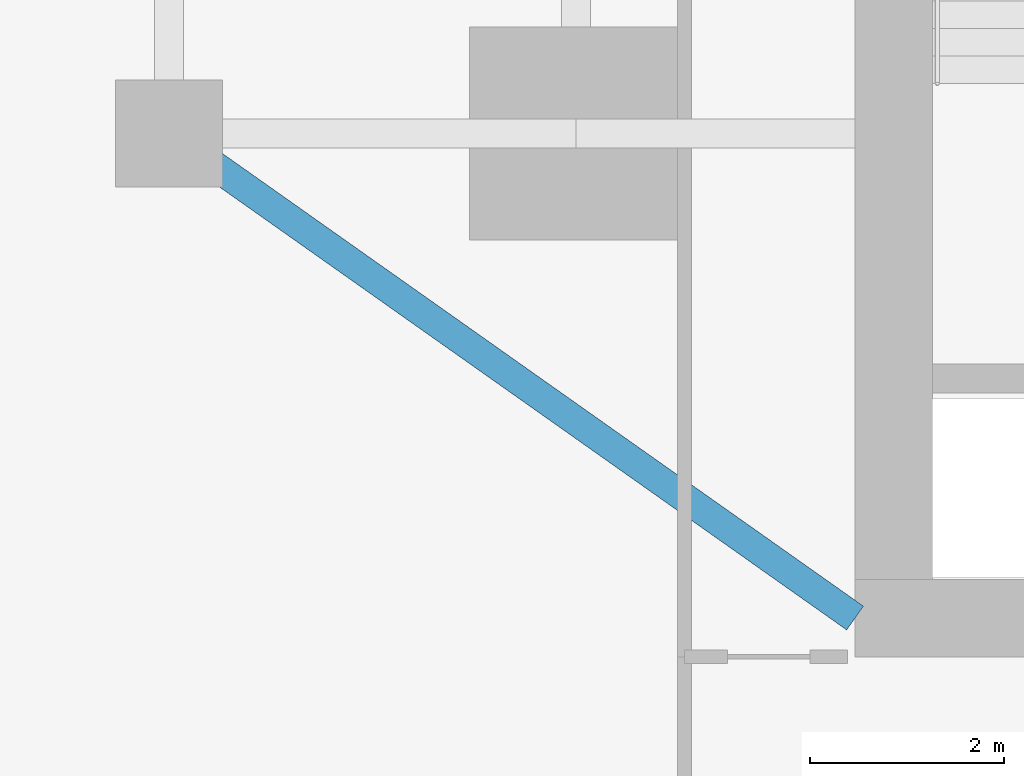
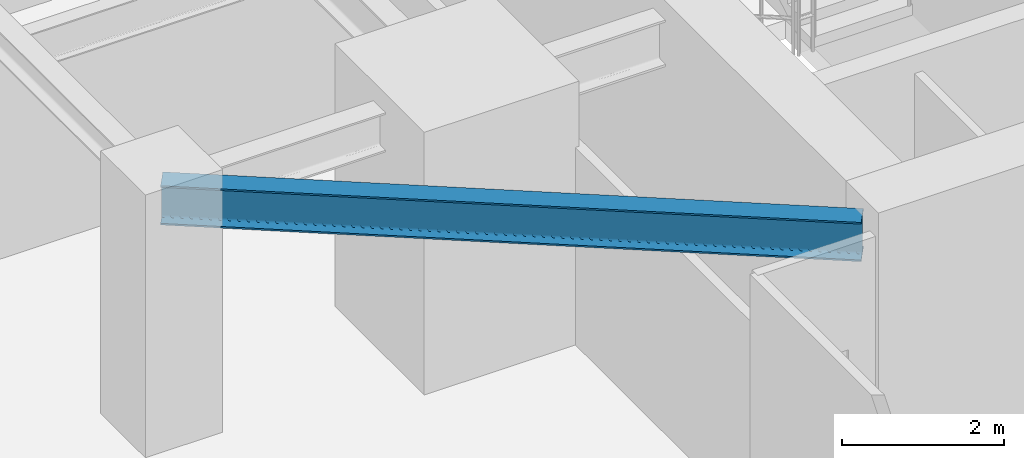
# One storey, part 5 of 29: 1 beam.
"""IFC4 building model written with IfcOpenShell, lengths in metres."""

from ifc_helpers import new_model, si_unit, direction, frame, origin, origin_2d, place, context, subcontext, project, spatial, i_section, extrude, source, transform, mapped, material, material_profile, profile_set, type_object, type_shapes, element, save


model = new_model("IFC4")

# Units and contexts
model_context = context("Model", 3, precision=1e-05, world=origin(), true_north=direction((0.0, 1.0)))
body_context = subcontext(model_context, "Body", "Model", "MODEL_VIEW")
ifc_project = project(units=[si_unit("LENGTHUNIT", "METRE"), si_unit("AREAUNIT", "SQUARE_METRE"), si_unit("VOLUMEUNIT", "CUBIC_METRE"), si_unit("PLANEANGLEUNIT", "RADIAN"), si_unit("MASSUNIT", "GRAM", prefix="KILO")], contexts=[model_context])

# Site, building, storey
site_placement = place(None, origin())
site = spatial("IfcSite", under=ifc_project, at=site_placement, CompositionType="ELEMENT")
building_placement = place(site_placement, origin())
building = spatial("IfcBuilding", under=site, at=building_placement, Name="Krantzveldt Concourse Tower", CompositionType="ELEMENT")
storey_placement = place(building_placement, frame((0.0, 0.0, 68.449951171875)))
storey = spatial("IfcBuildingStorey", under=building, at=storey_placement, Name="L16", CompositionType="ELEMENT", Elevation=68.449951171875)

# Beam
ifc_material = material(Name="Steel S355JR", Category="steel")
ifc_material_profile = material_profile(ifc_material, i_section(OverallWidth=0.300048828125, OverallDepth=0.590087890625, WebThickness=0.012939453125, FlangeThickness=0.02490234375, FilletRadius=0.027099609375, at=origin_2d()), Name="Steel S355JR", Category="steel")
ifc_profile_set = profile_set([ifc_material_profile], Name="Steel S355JR - HEA 600")
beam_type = type_object("IfcBeamType", Name="BM-B-HEA600", PredefinedType="BEAM", material=ifc_profile_set)
shared_shape = source(origin(), body_context, "Body", "SweptSolid", [
    extrude(i_section(OverallWidth=0.300048828125, OverallDepth=0.590087890625, WebThickness=0.012939453125, FlangeThickness=0.02490234375, FilletRadius=0.027099609375, at=origin_2d()), origin(), (0.0, 0.0, 1.0), 8.667724609375),
])
type_shapes(beam_type, [shared_shape])
beam_placement = place(storey_placement, frame((21.0, 15.89990234375, 3.375), z_axis=(0.81684294656, -0.576860122261, 0.0), x_axis=(0.576860122261, 0.81684294656, 0.0)))
element("IfcBeam", 1, at=beam_placement, inside=storey, type_object=beam_type, Name="L16 Tower Girder BR-CSW", PredefinedType="BEAM", context=body_context, shape_type="MappedRepresentation", body=[
    mapped(shared_shape, transform((0.0, 0.0, 0.0), x_axis=(1.0, 0.0, 0.0), y_axis=(0.0, 1.0, 0.0), z_axis=(0.0, 0.0, 1.0), scale=1.0)),
])

save(model, "model.ifc")
